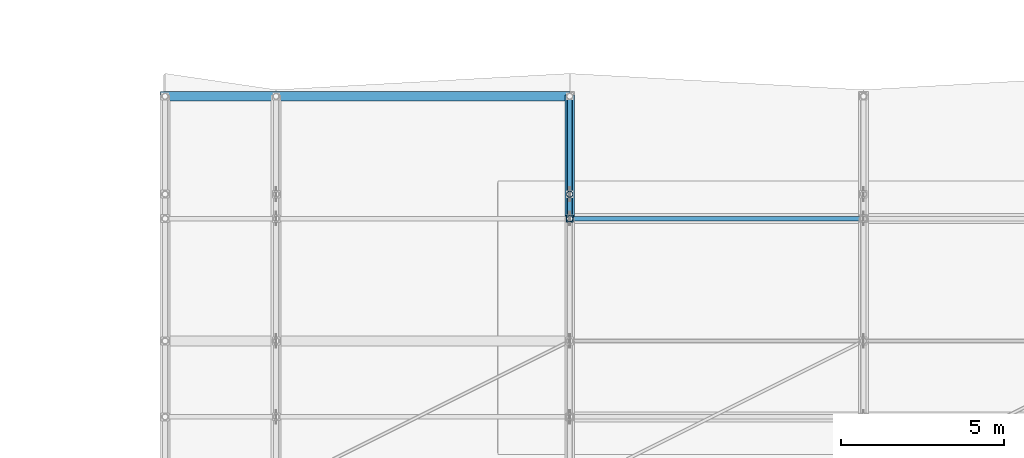
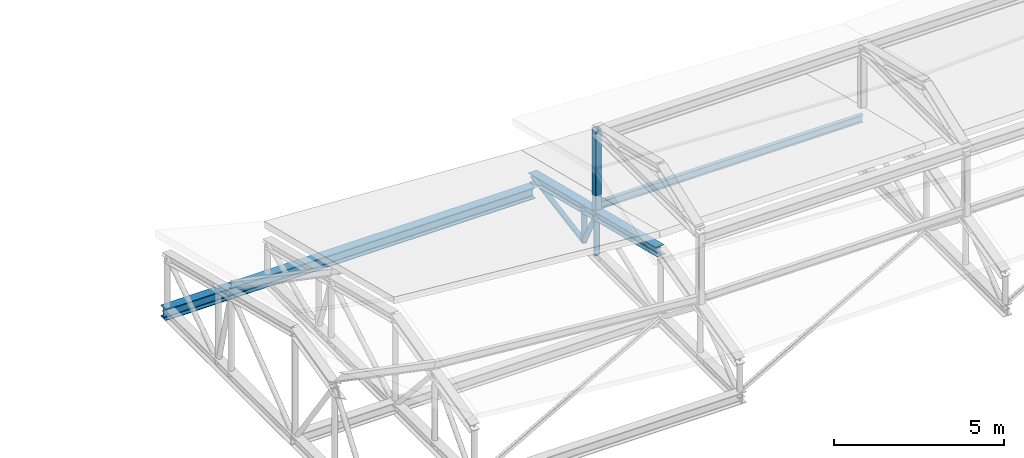
# One storey, part 14 of 55: 7 members, 1 beam.
"""IFC4 building model written with IfcOpenShell, lengths in metres."""

from ifc_helpers import new_model, si_unit, direction, frame, origin, origin_2d, place, context, subcontext, project, spatial, hollow_rectangle, hollow_circle, i_section, extrude, material, material_profile, profile_set, type_object, element, save


model = new_model("IFC4")

# Units and contexts
model_context = context("Model", 3, precision=1e-05, world=origin(), true_north=direction((0.0, 1.0)))
body_context = subcontext(model_context, "Body", "Model", "MODEL_VIEW")
ifc_project = project(units=[si_unit("LENGTHUNIT", "METRE"), si_unit("AREAUNIT", "SQUARE_METRE"), si_unit("VOLUMEUNIT", "CUBIC_METRE"), si_unit("PLANEANGLEUNIT", "RADIAN"), si_unit("MASSUNIT", "GRAM", prefix="KILO")], contexts=[model_context])

# Site, building, storey
site_placement = place(None, origin())
site = spatial("IfcSite", under=ifc_project, at=site_placement, CompositionType="ELEMENT")
building_placement = place(site_placement, origin())
building = spatial("IfcBuilding", under=site, at=building_placement, Name="Bozkorgan Art Gallery", CompositionType="ELEMENT")
storey_placement = place(building_placement, frame((0.0, 0.0, 15.0)))
storey = spatial("IfcBuildingStorey", under=building, at=storey_placement, Name="L03", CompositionType="ELEMENT", Elevation=15.0)

# Beam
ifc_material = material(Name="Steel S355J2", Category="steel")
ifc_material_profile_1 = material_profile(ifc_material, i_section(OverallWidth=0.300048828125, OverallDepth=0.39990234375, WebThickness=0.013427734375, FlangeThickness=0.02392578125, FilletRadius=0.027099609375, at=origin_2d()), Name="HEB 400")
ifc_profile_set_1 = profile_set([ifc_material_profile_1], Name="Steel S355J2")
beam_type = type_object("IfcBeamType", Name="BEAM-TO-32", PredefinedType="BEAM", material=ifc_profile_set_1)
beam_placement = place(storey_placement, frame((79.4599609375, 14.0, 0.199951171875), z_axis=(1.0, 0.0, 0.0), x_axis=(0.0, 1.0, 0.0)))
element("IfcBeam", 1, at=beam_placement, inside=storey, type_object=beam_type, Name="ROOF-V3-MAIN west overhang continuous truss chord 3", PredefinedType="BEAM", context=body_context, shape_type="SweptSolid", body=[
    extrude(i_section(OverallWidth=0.300048828125, OverallDepth=0.39990234375, WebThickness=0.013427734375, FlangeThickness=0.02392578125, FilletRadius=0.027099609375, at=origin_2d()), origin(), (0.0, 0.0, 1.0), 12.5400390625),
])

# Members
ifc_material_profile_2 = material_profile(ifc_material, hollow_rectangle(XDim=0.219970703125, YDim=0.219970703125, WallThickness=0.012451171875, InnerFilletRadius=0.018798828125, OuterFilletRadius=0.03125, at=origin_2d()), Name="SHS 220x220x12.5")
ifc_profile_set_2 = profile_set([ifc_material_profile_2], Name="Steel S355J2")
member_type_1 = type_object("IfcMemberType", Name="MEMBER-CP-34", PredefinedType="POST", material=ifc_profile_set_2)
member_1_placement = place(storey_placement, frame((92.0, 10.25, 1.651123046875), z_axis=(0.0, 0.0, 1.0), x_axis=(1.0, 0.0, 0.0)))
element("IfcMember", 2, at=member_1_placement, inside=storey, type_object=member_type_1, Name="V3 upper clerestory truss post 1N", PredefinedType="POST", context=body_context, shape_type="SweptSolid", body=[
    extrude(hollow_rectangle(XDim=0.219970703125, YDim=0.219970703125, WallThickness=0.012451171875, InnerFilletRadius=0.018798828125, OuterFilletRadius=0.03125, at=origin_2d()), origin(), (0.0, 0.0, 1.0), 3.043212890625),
])
ifc_material_profile_3 = material_profile(ifc_material, i_section(OverallWidth=0.135009765625, OverallDepth=0.27001953125, WebThickness=0.006591796875, FlangeThickness=0.01025390625, FilletRadius=0.014892578125, at=origin_2d()), Name="IPE 270")
ifc_profile_set_3 = profile_set([ifc_material_profile_3], Name="Steel S355J2")
member_type_2 = type_object("IfcMemberType", Name="MEMBER-PR-57", PredefinedType="PURLIN", material=ifc_profile_set_3)
member_2_placement = place(storey_placement, frame((92.0, 10.25, 1.941162109375), z_axis=(1.0, 0.0, 0.0), x_axis=(0.0, 1.0, 0.0)))
element("IfcMember", 3, at=member_2_placement, inside=storey, type_object=member_type_2, Name="ROOF-V3-MAIN roof purlin 3N", PredefinedType="PURLIN", context=body_context, shape_type="SweptSolid", body=[
    extrude(i_section(OverallWidth=0.135009765625, OverallDepth=0.27001953125, WebThickness=0.006591796875, FlangeThickness=0.01025390625, FilletRadius=0.014892578125, at=origin_2d()), origin(), (0.0, 0.0, 1.0), 9.0),
])
ifc_material_profile_4 = material_profile(ifc_material, i_section(OverallWidth=0.300048828125, OverallDepth=0.31005859375, WebThickness=0.009033203125, FlangeThickness=0.015380859375, FilletRadius=0.027099609375, at=origin_2d()), Name="HEA 320")
ifc_profile_set_4 = profile_set([ifc_material_profile_4], Name="Steel S355J2")
member_type_3 = type_object("IfcMemberType", Name="MEMBER-TC-13", PredefinedType="CHORD", material=ifc_profile_set_4)
member_3_placement = place(storey_placement, frame((92.0, 6.5, 2.586181640625), z_axis=(0.0, 0.970290953223, -0.241941038466), x_axis=(-1.0, 0.0, 0.0)))
element("IfcMember", 4, at=member_3_placement, inside=storey, type_object=member_type_3, Name="ROOF-V3-MAIN roof truss 3 north top chord", PredefinedType="CHORD", context=body_context, shape_type="SweptSolid", body=[
    extrude(i_section(OverallWidth=0.300048828125, OverallDepth=0.31005859375, WebThickness=0.009033203125, FlangeThickness=0.015380859375, FilletRadius=0.027099609375, at=origin_2d()), origin(), (0.0, 0.0, 1.0), 7.729736328125),
])
ifc_material_profile_5 = material_profile(ifc_material, hollow_circle(Radius=0.096923828125, WallThickness=0.008056640625, at=origin_2d()), Name="CHS 193.7x8")
ifc_profile_set_5 = profile_set([ifc_material_profile_5], Name="Steel S355J2")
member_type_4 = type_object("IfcMemberType", Name="MEMBER-TP-46", PredefinedType="POST", material=ifc_profile_set_5)
member_4_placement = place(storey_placement, frame((92.0, 10.25, 0.199951171875), z_axis=(0.0, 0.0, 1.0), x_axis=(1.0, 0.0, 0.0)))
element("IfcMember", 5, at=member_4_placement, inside=storey, type_object=member_type_4, Name="ROOF-V3-MAIN roof truss 3 post 3", PredefinedType="POST", context=body_context, shape_type="SweptSolid", body=[
    extrude(hollow_circle(Radius=0.096923828125, WallThickness=0.008056640625, at=origin_2d()), origin(), (0.0, 0.0, 1.0), 1.451171875),
])
member_5_placement = place(storey_placement, frame((92.0, 11.0, 0.199951171875), z_axis=(0.0, 0.0, 1.0), x_axis=(1.0, 0.0, 0.0)))
element("IfcMember", 6, at=member_5_placement, inside=storey, type_object=member_type_4, Name="ROOF-V3-MAIN roof truss 3 post 4", PredefinedType="POST", context=body_context, shape_type="SweptSolid", body=[
    extrude(hollow_circle(Radius=0.096923828125, WallThickness=0.008056640625, at=origin_2d()), origin(), (0.0, 0.0, 1.0), 1.26416015625),
])
ifc_material_profile_6 = material_profile(ifc_material, hollow_circle(Radius=0.084228515625, WallThickness=0.008056640625, at=origin_2d()), Name="CHS 168.3x8")
ifc_profile_set_6 = profile_set([ifc_material_profile_6], Name="Steel S355J2")
member_type_5 = type_object("IfcMemberType", Name="MEMBER-TW-40", PredefinedType="BRACE", material=ifc_profile_set_6)
member_6_placement = place(storey_placement, frame((92.0, 10.25, 1.651123046875), z_axis=(0.0, 0.459130149996, -0.888369014185), x_axis=(-1.0, 0.0, 0.0)))
element("IfcMember", 7, at=member_6_placement, inside=storey, type_object=member_type_5, Name="ROOF-V3-MAIN roof truss 3 diagonal 4", PredefinedType="BRACE", context=body_context, shape_type="SweptSolid", body=[
    extrude(hollow_circle(Radius=0.084228515625, WallThickness=0.008056640625, at=origin_2d()), origin(), (0.0, 0.0, 1.0), 1.633544921875),
])
member_7_placement = place(storey_placement, frame((92.0, 11.0, 0.199951171875), z_axis=(0.0, 0.98552210007, 0.169547014937), x_axis=(-1.0, 0.0, 0.0)))
element("IfcMember", 8, at=member_7_placement, inside=storey, type_object=member_type_5, Name="ROOF-V3-MAIN roof truss 3 diagonal 5", PredefinedType="BRACE", context=body_context, shape_type="SweptSolid", body=[
    extrude(hollow_circle(Radius=0.084228515625, WallThickness=0.008056640625, at=origin_2d()), origin(), (0.0, 0.0, 1.0), 3.044189453125),
])

save(model, "model.ifc")
